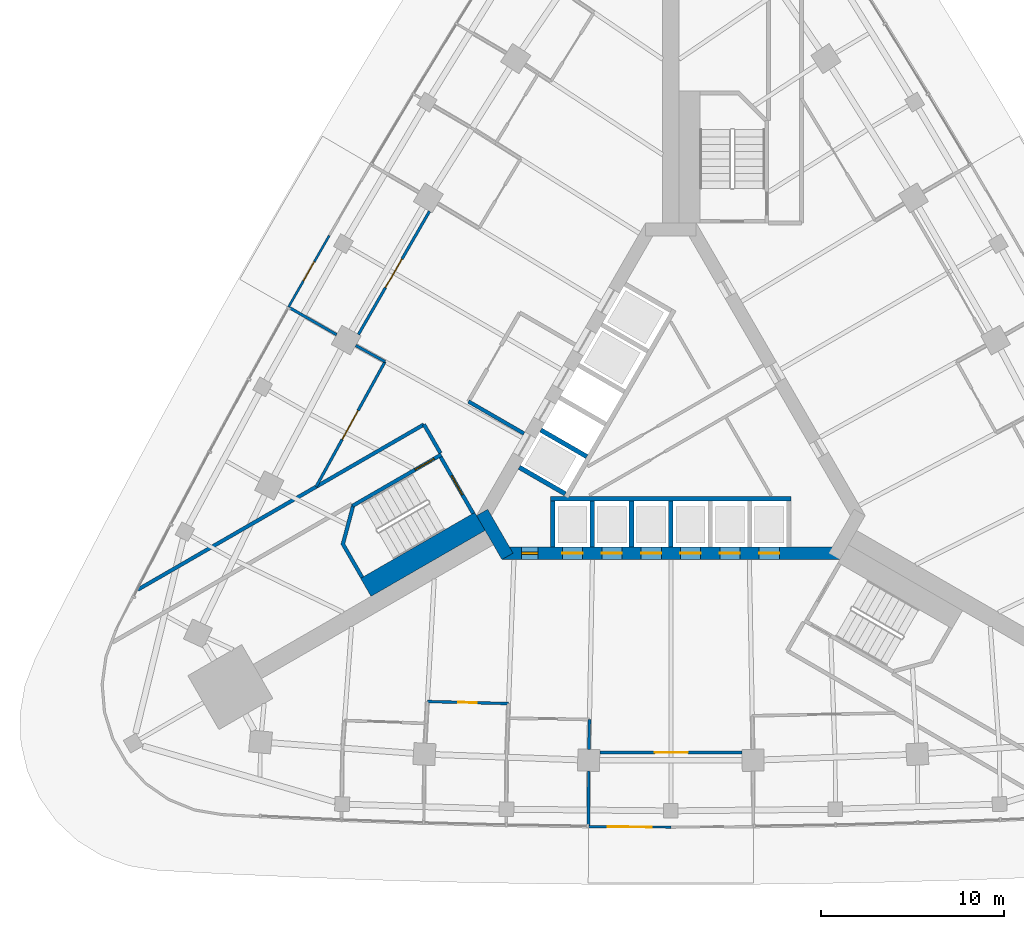
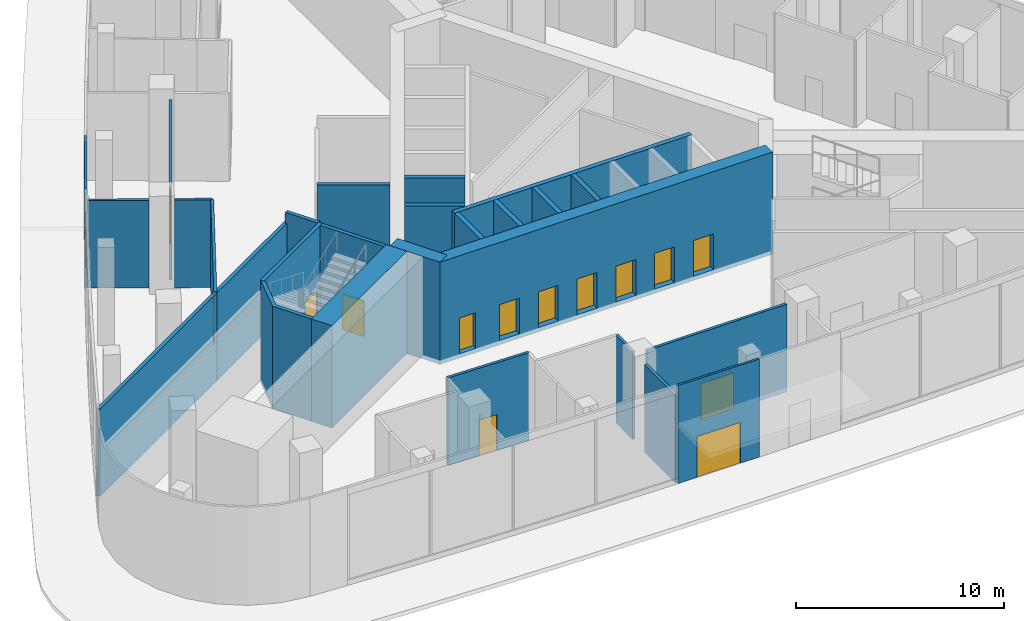
# One storey, part 7 of 14: 27 walls, 15 doors, 15 openings.
"""IFC4 building model written with IfcOpenShell, lengths in metres."""

from ifc_helpers import new_model, si_unit, direction, frame, frame_2d, origin, place, context, subcontext, project, spatial, polyline, rectangle, outline, extrude, material, layer, layer_set, type_object, element, fill, save


model = new_model("IFC4")

# Units and contexts
model_context = context("Model", 3, precision=1e-05, world=origin(), true_north=direction((0.0, 1.0)))
body_context = subcontext(model_context, "Body", "Model", "MODEL_VIEW")
ifc_project = project(units=[si_unit("LENGTHUNIT", "METRE"), si_unit("AREAUNIT", "SQUARE_METRE"), si_unit("VOLUMEUNIT", "CUBIC_METRE"), si_unit("PLANEANGLEUNIT", "RADIAN"), si_unit("MASSUNIT", "GRAM", prefix="KILO")], contexts=[model_context])

# Site, building, storey
site_placement = place(None, origin())
site = spatial("IfcSite", under=ifc_project, at=site_placement, CompositionType="ELEMENT")
building_placement = place(site_placement, origin())
building = spatial("IfcBuilding", under=site, at=building_placement, Name="Noor Cloister Tower", CompositionType="ELEMENT")
storey_placement = place(building_placement, origin())
storey = spatial("IfcBuildingStorey", under=building, at=storey_placement, Name="L00", CompositionType="ELEMENT", Elevation=0.0)

# Wall, openings, doors
ifc_material_1 = material(Name="Concrete C80/95", Category="concrete")
ifc_layer_1 = layer(ifc_material_1, 0.699951171875)
ifc_layer_set_1 = layer_set([ifc_layer_1], Name="Core wall 700 C80/95")
wall_type_1 = type_object("IfcWallType", Name="Core wall 700 C80/95", PredefinedType="SHEAR", material=ifc_layer_set_1)
wall_1_placement = place(storey_placement, frame((-9.228759765625, -6.578125, -0.25), z_axis=(0.0, 0.0, 1.0), x_axis=(1.0, 0.0, 0.0)))
wall_1 = element("IfcWall", 1, at=wall_1_placement, inside=storey, type_object=wall_type_1, Name="Core wall L00 1", PredefinedType="SHEAR", context=body_context, shape_type="SweptSolid", body=[
    extrude(rectangle(XDim=18.45751953125, YDim=0.699951171875, at=frame_2d((9.228759765625, 0.0))), origin(), (0.0, 0.0, 1.0), 6.0),
])
opening_1_placement = place(wall_1_placement, frame((3.3037109375, 0.0, 0.25)))
opening_1 = element("IfcOpeningElement", 2, at=opening_1_placement, cuts=wall_1, Name="Opening L00-LR1", PredefinedType="OPENING", context=body_context, shape_type="SweptSolid", body=[
    extrude(rectangle(XDim=1.10009765625, YDim=2.10009765625, at=frame_2d((0.550048828125, 1.050048828125))), frame((0.0, 0.35986328125, 0.0), z_axis=(0.0, -1.0, 0.0), x_axis=(1.0, 0.0, 0.0)), (0.0, 0.0, 1.0), 0.719970703125),
])
opening_2_placement = place(wall_1_placement, frame((5.45361328125, 0.0, 0.25)))
opening_2 = element("IfcOpeningElement", 3, at=opening_2_placement, cuts=wall_1, Name="Opening L00-LR2", PredefinedType="OPENING", context=body_context, shape_type="SweptSolid", body=[
    extrude(rectangle(XDim=1.10009765625, YDim=2.10009765625, at=frame_2d((0.550048828125, 1.050048828125))), frame((0.0, 0.35986328125, 0.0), z_axis=(0.0, -1.0, 0.0), x_axis=(1.0, 0.0, 0.0)), (0.0, 0.0, 1.0), 0.719970703125),
])
opening_3_placement = place(wall_1_placement, frame((7.603759765625, 0.0, 0.25)))
opening_3 = element("IfcOpeningElement", 4, at=opening_3_placement, cuts=wall_1, Name="Opening L00-LR3", PredefinedType="OPENING", context=body_context, shape_type="SweptSolid", body=[
    extrude(rectangle(XDim=1.10009765625, YDim=2.10009765625, at=frame_2d((0.550048828125, 1.050048828125))), frame((0.0, 0.35986328125, 0.0), z_axis=(0.0, -1.0, 0.0), x_axis=(1.0, 0.0, 0.0)), (0.0, 0.0, 1.0), 0.719970703125),
])
opening_4_placement = place(wall_1_placement, frame((9.753662109375, 0.0, 0.25)))
opening_4 = element("IfcOpeningElement", 5, at=opening_4_placement, cuts=wall_1, Name="Opening L00-LR4", PredefinedType="OPENING", context=body_context, shape_type="SweptSolid", body=[
    extrude(rectangle(XDim=1.10009765625, YDim=2.10009765625, at=frame_2d((0.550048828125, 1.050048828125))), frame((0.0, 0.35986328125, 0.0), z_axis=(0.0, -1.0, 0.0), x_axis=(1.0, 0.0, 0.0)), (0.0, 0.0, 1.0), 0.719970703125),
])
opening_5_placement = place(wall_1_placement, frame((11.90380859375, 0.0, 0.25)))
opening_5 = element("IfcOpeningElement", 6, at=opening_5_placement, cuts=wall_1, Name="Opening L00-LR5", PredefinedType="OPENING", context=body_context, shape_type="SweptSolid", body=[
    extrude(rectangle(XDim=1.10009765625, YDim=2.10009765625, at=frame_2d((0.550048828125, 1.050048828125))), frame((0.0, 0.35986328125, 0.0), z_axis=(0.0, -1.0, 0.0), x_axis=(1.0, 0.0, 0.0)), (0.0, 0.0, 1.0), 0.719970703125),
])
opening_6_placement = place(wall_1_placement, frame((14.0537109375, 0.0, 0.25)))
opening_6 = element("IfcOpeningElement", 7, at=opening_6_placement, cuts=wall_1, Name="Opening L00-LR6", PredefinedType="OPENING", context=body_context, shape_type="SweptSolid", body=[
    extrude(rectangle(XDim=1.10009765625, YDim=2.10009765625, at=frame_2d((0.550048828125, 1.050048828125))), frame((0.0, 0.35986328125, 0.0), z_axis=(0.0, -1.0, 0.0), x_axis=(1.0, 0.0, 0.0)), (0.0, 0.0, 1.0), 0.719970703125),
])
opening_7_placement = place(wall_1_placement, frame((1.078857421875, 0.0, 0.25)))
opening_7 = element("IfcOpeningElement", 8, at=opening_7_placement, cuts=wall_1, Name="Opening L00-905", PredefinedType="OPENING", context=body_context, shape_type="SweptSolid", body=[
    extrude(rectangle(XDim=0.89990234375, YDim=2.10009765625, at=frame_2d((0.449951171875, 1.050048828125))), frame((0.0, 0.35986328125, 0.0), z_axis=(0.0, -1.0, 0.0), x_axis=(1.0, 0.0, 0.0)), (0.0, 0.0, 1.0), 0.719970703125),
])
ifc_material_2 = material(Name="Steel", Category="steel")
door_type_1 = type_object("IfcDoorType", Name="Core door 900 x 2100 FD120", OperationType="SINGLE_SWING_LEFT", PredefinedType="DOOR", material=ifc_material_2)
door_1_placement = place(opening_7_placement, origin())
door_1 = element("IfcDoor", 9, at=door_1_placement, inside=storey, type_object=door_type_1, Name="Core door 5 L00", OperationType="SINGLE_SWING_LEFT", OverallHeight=2.10009765625, OverallWidth=0.89990234375, PredefinedType="DOOR", context=body_context, shape_type="SweptSolid", body=[
    extrude(rectangle(XDim=0.89990234375, YDim=2.10009765625, at=frame_2d((0.449951171875, 1.050048828125))), frame((0.0, 0.074951171875, 0.0), z_axis=(0.0, -1.0, 0.0), x_axis=(1.0, 0.0, 0.0)), (0.0, 0.0, 1.0), 0.14990234375),
])
fill(opening_7, door_1)
ifc_material_3 = material(Name="Stainless steel", Category="steel")
door_type_2 = type_object("IfcDoorType", Name="Lift landing door 1100 x 2100", OperationType="DOUBLE_DOOR_SLIDING", PredefinedType="DOOR", material=ifc_material_3)
door_2_placement = place(opening_1_placement, origin())
door_2 = element("IfcDoor", 10, at=door_2_placement, inside=storey, type_object=door_type_2, Name="Landing door LR1 L00", OperationType="DOUBLE_DOOR_SLIDING", OverallHeight=2.10009765625, OverallWidth=1.10009765625, PredefinedType="DOOR", context=body_context, shape_type="SweptSolid", body=[
    extrude(rectangle(XDim=1.10009765625, YDim=2.10009765625, at=frame_2d((0.550048828125, 1.050048828125))), frame((0.0, 0.02490234375, 0.0), z_axis=(0.0, -1.0, 0.0), x_axis=(1.0, 0.0, 0.0)), (0.0, 0.0, 1.0), 0.050048828125),
])
fill(opening_1, door_2)
door_3_placement = place(opening_2_placement, origin())
door_3 = element("IfcDoor", 11, at=door_3_placement, inside=storey, type_object=door_type_2, Name="Landing door LR2 L00", OperationType="DOUBLE_DOOR_SLIDING", OverallHeight=2.10009765625, OverallWidth=1.10009765625, PredefinedType="DOOR", context=body_context, shape_type="SweptSolid", body=[
    extrude(rectangle(XDim=1.10009765625, YDim=2.10009765625, at=frame_2d((0.550048828125, 1.050048828125))), frame((0.0, 0.02490234375, 0.0), z_axis=(0.0, -1.0, 0.0), x_axis=(1.0, 0.0, 0.0)), (0.0, 0.0, 1.0), 0.050048828125),
])
fill(opening_2, door_3)
door_4_placement = place(opening_3_placement, origin())
door_4 = element("IfcDoor", 12, at=door_4_placement, inside=storey, type_object=door_type_2, Name="Landing door LR3 L00", OperationType="DOUBLE_DOOR_SLIDING", OverallHeight=2.10009765625, OverallWidth=1.10009765625, PredefinedType="DOOR", context=body_context, shape_type="SweptSolid", body=[
    extrude(rectangle(XDim=1.10009765625, YDim=2.10009765625, at=frame_2d((0.550048828125, 1.050048828125))), frame((0.0, 0.02490234375, 0.0), z_axis=(0.0, -1.0, 0.0), x_axis=(1.0, 0.0, 0.0)), (0.0, 0.0, 1.0), 0.050048828125),
])
fill(opening_3, door_4)
door_5_placement = place(opening_4_placement, origin())
door_5 = element("IfcDoor", 13, at=door_5_placement, inside=storey, type_object=door_type_2, Name="Landing door LR4 L00", OperationType="DOUBLE_DOOR_SLIDING", OverallHeight=2.10009765625, OverallWidth=1.10009765625, PredefinedType="DOOR", context=body_context, shape_type="SweptSolid", body=[
    extrude(rectangle(XDim=1.10009765625, YDim=2.10009765625, at=frame_2d((0.550048828125, 1.050048828125))), frame((0.0, 0.02490234375, 0.0), z_axis=(0.0, -1.0, 0.0), x_axis=(1.0, 0.0, 0.0)), (0.0, 0.0, 1.0), 0.050048828125),
])
fill(opening_4, door_5)
door_6_placement = place(opening_5_placement, origin())
door_6 = element("IfcDoor", 14, at=door_6_placement, inside=storey, type_object=door_type_2, Name="Landing door LR5 L00", OperationType="DOUBLE_DOOR_SLIDING", OverallHeight=2.10009765625, OverallWidth=1.10009765625, PredefinedType="DOOR", context=body_context, shape_type="SweptSolid", body=[
    extrude(rectangle(XDim=1.10009765625, YDim=2.10009765625, at=frame_2d((0.550048828125, 1.050048828125))), frame((0.0, 0.02490234375, 0.0), z_axis=(0.0, -1.0, 0.0), x_axis=(1.0, 0.0, 0.0)), (0.0, 0.0, 1.0), 0.050048828125),
])
fill(opening_5, door_6)
door_7_placement = place(opening_6_placement, origin())
door_7 = element("IfcDoor", 15, at=door_7_placement, inside=storey, type_object=door_type_2, Name="Landing door LR6 L00", OperationType="DOUBLE_DOOR_SLIDING", OverallHeight=2.10009765625, OverallWidth=1.10009765625, PredefinedType="DOOR", context=body_context, shape_type="SweptSolid", body=[
    extrude(rectangle(XDim=1.10009765625, YDim=2.10009765625, at=frame_2d((0.550048828125, 1.050048828125))), frame((0.0, 0.02490234375, 0.0), z_axis=(0.0, -1.0, 0.0), x_axis=(1.0, 0.0, 0.0)), (0.0, 0.0, 1.0), 0.050048828125),
])
fill(opening_6, door_7)

# Walls
wall_2_placement = place(storey_placement, frame((-10.311279296875, -4.353271484375, -0.25), z_axis=(0.0, 0.0, 1.0), x_axis=(0.500042739161, -0.866000726912, 0.0)))
element("IfcWall", 16, at=wall_2_placement, inside=storey, type_object=wall_type_1, Name="Core wall L00 6", PredefinedType="SHEAR", context=body_context, shape_type="SweptSolid", body=[
    extrude(rectangle(XDim=2.771240234375, YDim=0.699951171875, at=frame_2d((1.3857421875, 0.0))), origin(), (0.0, 0.0, 1.0), 6.0),
])
ifc_material_4 = material(Name="Plasterboard on steel studs", Category="steel")
ifc_layer_2 = layer(ifc_material_4, 0.14990234375)
ifc_layer_set_2 = layer_set([ifc_layer_2], Name="Corridor wall 150")
wall_type_2 = type_object("IfcWallType", Name="Corridor wall 150", PredefinedType="PARTITIONING", material=ifc_layer_set_2)
wall_3_placement = place(storey_placement, frame((-4.490966796875, -18.491943359375, 0.0), z_axis=(0.0, 0.0, 1.0), x_axis=(-0.003039249968, -0.999995381469, 0.0)))
element("IfcWall", 17, at=wall_3_placement, inside=storey, type_object=wall_type_2, Name="Partition", PredefinedType="PARTITIONING", context=body_context, shape_type="SweptSolid", body=[
    extrude(rectangle(XDim=2.97216796875, YDim=0.14990234375, at=frame_2d((1.486083984375, 0.0))), origin(), (0.0, 0.0, 1.0), 5.133056640625),
])

# Wall, opening, door
wall_4_placement = place(storey_placement, frame((3.882080078125, -17.467041015625, 0.0), z_axis=(0.0, 0.0, 1.0), x_axis=(-1.0, 0.0, 0.0)))
wall_4 = element("IfcWall", 18, at=wall_4_placement, inside=storey, type_object=wall_type_2, Name="Partition", PredefinedType="PARTITIONING", context=body_context, shape_type="SweptSolid", body=[
    extrude(rectangle(XDim=7.76416015625, YDim=0.14990234375, at=frame_2d((3.882080078125, 0.0))), origin(), (0.0, 0.0, 1.0), 5.137939453125),
])
opening_8_placement = place(wall_4_placement, frame((2.949951171875, 0.0, 0.0)))
opening_8 = element("IfcOpeningElement", 19, at=opening_8_placement, cuts=wall_4, Name="Opening L00-013", PredefinedType="OPENING", context=body_context, shape_type="SweptSolid", body=[
    extrude(rectangle(XDim=1.800048828125, YDim=2.10009765625, at=frame_2d((0.89990234375, 1.050048828125))), frame((0.0, 0.0849609375, 0.0), z_axis=(0.0, -1.0, 0.0), x_axis=(1.0, 0.0, 0.0)), (0.0, 0.0, 1.0), 0.169921875),
])
ifc_material_5 = material(Name="Timber door leaf", Category="wood")
door_type_3 = type_object("IfcDoorType", Name="Double leaf door 1800", OperationType="DOUBLE_DOOR_SINGLE_SWING", PredefinedType="DOOR", material=ifc_material_5)
door_8_placement = place(opening_8_placement, origin())
door_8 = element("IfcDoor", 20, at=door_8_placement, inside=storey, type_object=door_type_3, Name="Door L00-013", OperationType="DOUBLE_DOOR_SINGLE_SWING", OverallHeight=2.10009765625, OverallWidth=1.800048828125, PredefinedType="DOOR", context=body_context, shape_type="SweptSolid", body=[
    extrude(rectangle(XDim=1.800048828125, YDim=2.10009765625, at=frame_2d((0.89990234375, 1.050048828125))), frame((0.0, 0.02490234375, 0.0), z_axis=(0.0, -1.0, 0.0), x_axis=(1.0, 0.0, 0.0)), (0.0, 0.0, 1.0), 0.050048828125),
])
fill(opening_8, door_8)

# Wall
wall_5_placement = place(storey_placement, frame((-4.47802734375, -17.2919921875, 0.0), z_axis=(0.0, 0.0, 1.0), x_axis=(0.018443173209, 0.999829910216, 0.0)))
element("IfcWall", 21, at=wall_5_placement, inside=storey, type_object=wall_type_2, Name="Partition", PredefinedType="PARTITIONING", context=body_context, shape_type="SweptSolid", body=[
    extrude(rectangle(XDim=1.628173828125, YDim=0.14990234375, at=frame_2d((0.81396484375, 0.0))), origin(), (0.0, 0.0, 1.0), 5.137939453125),
])

# Wall, opening, door
wall_6_placement = place(storey_placement, frame((-8.866943359375, -14.7958984375, 0.0), z_axis=(0.0, 0.0, 1.0), x_axis=(-0.999668087826, 0.025762650903, 0.0)))
wall_6 = element("IfcWall", 22, at=wall_6_placement, inside=storey, type_object=wall_type_2, Name="Partition", PredefinedType="PARTITIONING", context=body_context, shape_type="SweptSolid", body=[
    extrude(rectangle(XDim=4.425537109375, YDim=0.14990234375, at=frame_2d((2.212890625, 0.0))), origin(), (0.0, 0.0, 1.0), 5.137939453125),
])
opening_9_placement = place(wall_6_placement, frame((1.75, 0.0, 0.0)))
opening_9 = element("IfcOpeningElement", 23, at=opening_9_placement, cuts=wall_6, Name="Opening L00-004", PredefinedType="OPENING", context=body_context, shape_type="SweptSolid", body=[
    extrude(rectangle(XDim=1.0, YDim=2.10009765625, at=frame_2d((0.5, 1.050048828125))), frame((0.0, 0.0849609375, 0.0), z_axis=(0.0, -1.0, 0.0), x_axis=(1.0, 0.0, 0.0)), (0.0, 0.0, 1.0), 0.169921875),
])
ifc_material_6 = material(Name="Timber door leaf", Category="wood")
door_type_4 = type_object("IfcDoorType", Name="Clinic room door 1000", OperationType="SINGLE_SWING_LEFT", PredefinedType="DOOR", material=ifc_material_6)
door_9_placement = place(opening_9_placement, origin())
door_9 = element("IfcDoor", 24, at=door_9_placement, inside=storey, type_object=door_type_4, Name="Door L00-004", OperationType="SINGLE_SWING_RIGHT", OverallHeight=2.10009765625, OverallWidth=1.0, PredefinedType="DOOR", context=body_context, shape_type="SweptSolid", body=[
    extrude(rectangle(XDim=1.0, YDim=2.10009765625, at=frame_2d((0.5, 1.050048828125))), frame((0.0, 0.02490234375, 0.0), z_axis=(0.0, -1.0, 0.0), x_axis=(1.0, 0.0, 0.0)), (0.0, 0.0, 1.0), 0.050048828125),
])
fill(opening_9, door_9)

# Wall
wall_7_placement = place(storey_placement, frame((-18.260009765625, 5.35595703125, 0.0), z_axis=(0.0, 0.0, 1.0), x_axis=(-0.867382463281, 0.497642102714, 0.0)))
element("IfcWall", 25, at=wall_7_placement, inside=storey, type_object=wall_type_2, Name="Partition", PredefinedType="PARTITIONING", context=body_context, shape_type="SweptSolid", body=[
    extrude(rectangle(XDim=2.971923828125, YDim=0.14990234375, at=frame_2d((1.48583984375, 0.0))), origin(), (0.0, 0.0, 1.0), 5.133056640625),
])

# Wall, opening, door
wall_8_placement = place(storey_placement, frame((-19.3798828125, -2.947021484375, 0.0), z_axis=(0.0, 0.0, 1.0), x_axis=(0.482740495621, 0.875763446307, 0.0)))
wall_8 = element("IfcWall", 26, at=wall_8_placement, inside=storey, type_object=wall_type_2, Name="Partition", PredefinedType="PARTITIONING", context=body_context, shape_type="SweptSolid", body=[
    extrude(rectangle(XDim=7.799072265625, YDim=0.14990234375, at=frame_2d((3.8994140625, 0.0))), origin(), (0.0, 0.0, 1.0), 5.137939453125),
])
opening_10_placement = place(wall_8_placement, frame((2.949951171875, 0.0, 0.0)))
opening_10 = element("IfcOpeningElement", 27, at=opening_10_placement, cuts=wall_8, Name="Opening L00-006", PredefinedType="OPENING", context=body_context, shape_type="SweptSolid", body=[
    extrude(rectangle(XDim=1.800048828125, YDim=2.10009765625, at=frame_2d((0.89990234375, 1.050048828125))), frame((0.0, 0.0849609375, 0.0), z_axis=(0.0, -1.0, 0.0), x_axis=(1.0, 0.0, 0.0)), (0.0, 0.0, 1.0), 0.169921875),
])
door_10_placement = place(opening_10_placement, origin())
door_10 = element("IfcDoor", 28, at=door_10_placement, inside=storey, type_object=door_type_3, Name="Door L00-006", OperationType="DOUBLE_DOOR_SINGLE_SWING", OverallHeight=2.10009765625, OverallWidth=1.800048828125, PredefinedType="DOOR", context=body_context, shape_type="SweptSolid", body=[
    extrude(rectangle(XDim=1.800048828125, YDim=2.10009765625, at=frame_2d((0.89990234375, 1.050048828125))), frame((0.0, 0.02490234375, 0.0), z_axis=(0.0, -1.0, 0.0), x_axis=(1.0, 0.0, 0.0)), (0.0, 0.0, 1.0), 0.050048828125),
])
fill(opening_10, door_10)

# Wall
wall_9_placement = place(storey_placement, frame((-15.614990234375, 3.883056640625, 0.0), z_axis=(0.0, 0.0, 1.0), x_axis=(-0.875170076202, 0.483815396325, 0.0)))
element("IfcWall", 29, at=wall_9_placement, inside=storey, type_object=wall_type_2, Name="Partition", PredefinedType="PARTITIONING", context=body_context, shape_type="SweptSolid", body=[
    extrude(rectangle(XDim=1.8271484375, YDim=0.14990234375, at=frame_2d((0.91357421875, 0.0))), origin(), (0.0, 0.0, 1.0), 5.137939453125),
])

# Wall, opening, door
wall_10_placement = place(storey_placement, frame((-17.068115234375, 5.3720703125, 0.0), z_axis=(0.0, 0.0, 1.0), x_axis=(0.499910285078, 0.866077194523, 0.0)))
wall_10 = element("IfcWall", 30, at=wall_10_placement, inside=storey, type_object=wall_type_2, Name="Partition", PredefinedType="PARTITIONING", context=body_context, shape_type="SweptSolid", body=[
    extrude(rectangle(XDim=7.763671875, YDim=0.14990234375, at=frame_2d((3.8818359375, 0.0))), origin(), (0.0, 0.0, 1.0), 5.137939453125),
])
opening_11_placement = place(wall_10_placement, frame((2.949951171875, 0.0, 0.0)))
opening_11 = element("IfcOpeningElement", 31, at=opening_11_placement, cuts=wall_10, Name="Opening L00-015", PredefinedType="OPENING", context=body_context, shape_type="SweptSolid", body=[
    extrude(rectangle(XDim=1.800048828125, YDim=2.10009765625, at=frame_2d((0.89990234375, 1.050048828125))), frame((0.0, 0.0849609375, 0.0), z_axis=(0.0, -1.0, 0.0), x_axis=(1.0, 0.0, 0.0)), (0.0, 0.0, 1.0), 0.169921875),
])
door_11_placement = place(opening_11_placement, origin())
door_11 = element("IfcDoor", 32, at=door_11_placement, inside=storey, type_object=door_type_3, Name="Door L00-015", OperationType="DOUBLE_DOOR_SINGLE_SWING", OverallHeight=2.10009765625, OverallWidth=1.800048828125, PredefinedType="DOOR", context=body_context, shape_type="SweptSolid", body=[
    extrude(rectangle(XDim=1.800048828125, YDim=2.10009765625, at=frame_2d((0.89990234375, 1.050048828125))), frame((0.0, 0.02490234375, 0.0), z_axis=(0.0, -1.0, 0.0), x_axis=(1.0, 0.0, 0.0)), (0.0, 0.0, 1.0), 0.050048828125),
])
fill(opening_11, door_11)

# Walls
ifc_material_7 = material(Name="Reinforced blockwork", Category="masonry")
ifc_layer_3 = layer(ifc_material_7, 0.199951171875)
ifc_layer_set_3 = layer_set([ifc_layer_3], Name="Fire rated block wall 200")
wall_type_3 = type_object("IfcWallType", Name="Fire rated block wall 200", PredefinedType="PARTITIONING", material=ifc_layer_set_3)
wall_11_placement = place(storey_placement, frame((-11.055908203125, 1.70703125, 0.0), z_axis=(0.0, 0.0, 1.0), x_axis=(0.866019471182, -0.500010275428, 0.0)))
element("IfcWall", 33, at=wall_11_placement, inside=storey, type_object=wall_type_3, Name="Fire rated wall", PredefinedType="PARTITIONING", context=body_context, shape_type="SweptSolid", body=[
    extrude(rectangle(XDim=3.5, YDim=0.199951171875, at=frame_2d((1.75, 0.0))), origin(), (0.0, 0.0, 1.0), 5.75),
])
ifc_material_8 = material(Name="Reinforced blockwork", Category="masonry")
ifc_layer_4 = layer(ifc_material_8, 0.199951171875)
ifc_layer_set_4 = layer_set([ifc_layer_4], Name="Fire rated block wall 200 EI 120")
wall_type_4 = type_object("IfcWallType", Name="Fire rated block wall 200 EI 120", PredefinedType="PARTITIONING", material=ifc_layer_set_4)
wall_12_placement = place(storey_placement, frame((-19.382080078125, -2.950927734375, 0.0), z_axis=(0.0, 0.0, 1.0), x_axis=(-0.866021398134, -0.500006937926, 0.0)))
element("IfcWall", 34, at=wall_12_placement, inside=storey, type_object=wall_type_4, Name="Fire rated wall", PredefinedType="PARTITIONING", context=body_context, shape_type="SweptSolid", body=[
    extrude(rectangle(XDim=11.241943359375, YDim=0.199951171875, at=frame_2d((5.62109375, 0.0))), origin(), (0.0, 0.0, 1.0), 5.133056640625),
])
wall_13_placement = place(storey_placement, frame((-12.590087890625, -1.10791015625, 0.0), z_axis=(0.0, 0.0, 1.0), x_axis=(-0.499554093032, 0.866282695276, 0.0)))
element("IfcWall", 35, at=wall_13_placement, inside=storey, type_object=wall_type_4, Name="Fire rated wall", PredefinedType="PARTITIONING", context=body_context, shape_type="SweptSolid", body=[
    extrude(rectangle(XDim=1.799560546875, YDim=0.199951171875, at=frame_2d((0.89990234375, 0.0))), origin(), (0.0, 0.0, 1.0), 5.75),
])
wall_14_placement = place(storey_placement, frame((-13.489990234375, 0.450927734375, 0.0), z_axis=(0.0, 0.0, 1.0), x_axis=(-0.865993627515, -0.500055034075, 0.0)))
element("IfcWall", 36, at=wall_14_placement, inside=storey, type_object=wall_type_4, Name="Fire rated wall", PredefinedType="PARTITIONING", context=body_context, shape_type="SweptSolid", body=[
    extrude(rectangle(XDim=6.799072265625, YDim=0.199951171875, at=frame_2d((3.3994140625, 0.0))), origin(), (0.0, 0.0, 1.0), 5.137939453125),
])

# Wall, opening, door
ifc_material_9 = material(Name="Limestone", Category="masonry")
ifc_layer_5 = layer(ifc_material_9, 0.1201171875)
ifc_layer_set_5 = layer_set([ifc_layer_5], Name="Limestone portal wall 120")
wall_type_5 = type_object("IfcWallType", Name="Limestone portal wall 120", PredefinedType="NOTDEFINED", material=ifc_layer_set_5)
wall_15_placement = place(storey_placement, frame((-20.88916015625, 6.866943359375, 0.0), z_axis=(0.0, 0.0, 1.0), x_axis=(0.495501388328, 0.868607146048, 0.0)))
wall_15 = element("IfcWall", 37, at=wall_15_placement, inside=storey, type_object=wall_type_5, Name="Entrance bay L00 NW 2", PredefinedType="NOTDEFINED", context=body_context, shape_type="SweptSolid", body=[
    extrude(rectangle(XDim=4.49609375, YDim=0.1201171875, at=frame_2d((2.248046875, 0.0))), origin(), (0.0, 0.0, 1.0), 5.75),
])
opening_12_placement = place(wall_15_placement, frame((1.64794921875, 0.0, 0.0)))
opening_12 = element("IfcOpeningElement", 38, at=opening_12_placement, cuts=wall_15, Name="Opening L00-X04", PredefinedType="OPENING", context=body_context, shape_type="SweptSolid", body=[
    extrude(rectangle(XDim=1.199951171875, YDim=2.39990234375, at=frame_2d((0.60009765625, 1.199951171875))), frame((0.0, 0.070068359375, 0.0), z_axis=(0.0, -1.0, 0.0), x_axis=(1.0, 0.0, 0.0)), (0.0, 0.0, 1.0), 0.14013671875),
])
ifc_material_10 = material(Name="Glass and aluminium", Category="aluminium")
door_type_5 = type_object("IfcDoorType", Name="Entrance swing door 1200 x 2400", OperationType="SINGLE_SWING_LEFT", PredefinedType="DOOR", material=ifc_material_10)
door_12_placement = place(opening_12_placement, origin())
door_12 = element("IfcDoor", 39, at=door_12_placement, inside=storey, type_object=door_type_5, Name="Main lobby entrance door NW 2", OperationType="SINGLE_SWING_LEFT", OverallHeight=2.39990234375, OverallWidth=1.199951171875, PredefinedType="DOOR", context=body_context, shape_type="SweptSolid", body=[
    extrude(rectangle(XDim=1.199951171875, YDim=2.39990234375, at=frame_2d((0.60009765625, 1.199951171875))), frame((0.0, 0.02490234375, 0.0), z_axis=(0.0, -1.0, 0.0), x_axis=(1.0, 0.0, 0.0)), (0.0, 0.0, 1.0), 0.050048828125),
])
fill(opening_12, door_12)

wall_16_placement = place(storey_placement, frame((-0.001708984375, -21.54736328125, 0.0), z_axis=(0.0, 0.0, 1.0), x_axis=(-0.999986693461, 0.005158769258, 0.0)))
wall_16 = element("IfcWall", 40, at=wall_16_placement, inside=storey, type_object=wall_type_5, Name="Entrance bay L00 S 1", PredefinedType="NOTDEFINED", context=body_context, shape_type="SweptSolid", body=[
    extrude(rectangle(XDim=4.495849609375, YDim=0.1201171875, at=frame_2d((2.248046875, 0.0))), origin(), (0.0, 0.0, 1.0), 5.75),
])
opening_13_placement = place(wall_16_placement, frame((1.048095703125, 0.0, 0.0)))
opening_13 = element("IfcOpeningElement", 41, at=opening_13_placement, cuts=wall_16, Name="Opening L00-X07", PredefinedType="OPENING", context=body_context, shape_type="SweptSolid", body=[
    extrude(rectangle(XDim=2.39990234375, YDim=2.39990234375, at=frame_2d((1.199951171875, 1.199951171875))), frame((0.0, 0.070068359375, 0.0), z_axis=(0.0, -1.0, 0.0), x_axis=(1.0, 0.0, 0.0)), (0.0, 0.0, 1.0), 0.14013671875),
])
ifc_material_11 = material(Name="Glass and aluminium", Category="aluminium")
door_type_6 = type_object("IfcDoorType", Name="Revolving entrance door 2400 x 2400", OperationType="REVOLVING", PredefinedType="DOOR", material=ifc_material_11)
door_13_placement = place(opening_13_placement, origin())
door_13 = element("IfcDoor", 42, at=door_13_placement, inside=storey, type_object=door_type_6, Name="Station entrance door S 1", OperationType="REVOLVING", OverallHeight=2.39990234375, OverallWidth=2.39990234375, PredefinedType="DOOR", context=body_context, shape_type="SweptSolid", body=[
    extrude(rectangle(XDim=2.39990234375, YDim=2.39990234375, at=frame_2d((1.199951171875, 1.199951171875))), frame((0.0, 0.02490234375, 0.0), z_axis=(0.0, -1.0, 0.0), x_axis=(1.0, 0.0, 0.0)), (0.0, 0.0, 1.0), 0.050048828125),
])
fill(opening_13, door_13)

# Walls
ifc_material_12 = material(Name="Concrete C80/95", Category="concrete")
ifc_layer_6 = layer(ifc_material_12, 0.25)
ifc_layer_set_6 = layer_set([ifc_layer_6], Name="Shaft wall 250 C80/95")
wall_type_6 = type_object("IfcWallType", Name="Shaft wall 250 C80/95", PredefinedType="PARTITIONING", material=ifc_layer_set_6)
for number, where, z_axis, x_axis, name in (
    (43, (-6.449951171875, -6.228271484375, -0.25), (0.0, 0.0, 1.0), (0.0, 1.0, 0.0), "Lift shaft wall L00 S 1"),
    (44, (-4.300048828125, -6.228271484375, -0.25), (0.0, 0.0, 1.0), (0.0, 1.0, 0.0), "Lift shaft wall L00 S 2"),
    (45, (-2.14990234375, -6.228271484375, -0.25), (0.0, 0.0, 1.0), (0.0, 1.0, 0.0), "Lift shaft wall L00 S 3"),
    (46, (0.0, -6.228271484375, -0.25), (0.0, 0.0, 1.0), (0.0, 1.0, 0.0), "Lift shaft wall L00 S 4"),
):
    element("IfcWall", number, at=place(storey_placement, frame(where, z_axis=z_axis, x_axis=x_axis)), inside=storey, type_object=wall_type_6, Name=name, PredefinedType="PARTITIONING", context=body_context, shape_type="SweptSolid", body=[
        extrude(rectangle(XDim=2.5, YDim=0.25, at=frame_2d((1.25, 0.0))), origin(), (0.0, 0.0, 1.0), 6.0),
    ])
wall_17_placement = place(storey_placement, frame((-6.574951171875, -3.603271484375, 0.0), z_axis=(0.0, 0.0, 1.0), x_axis=(1.0, 0.0, 0.0)))
element("IfcWall", 47, at=wall_17_placement, inside=storey, type_object=wall_type_6, Name="Lift shaft back wall L00 S", PredefinedType="PARTITIONING", context=body_context, shape_type="SweptSolid", body=[
    extrude(rectangle(XDim=13.14990234375, YDim=0.25, at=frame_2d((6.574951171875, 0.0))), origin(), (0.0, 0.0, 1.0), 5.75),
])
for number, where, z_axis, x_axis, name in (
    (48, (-7.106201171875, 0.14794921875, -0.25), (0.0, 0.0, 1.0), (0.866032775405, -0.499987231761, 0.0), "Lift shaft wall L00 NW 5"),
    (49, (-8.28125, -1.88720703125, -0.25), (0.0, 0.0, 1.0), (0.866032775405, -0.499987231761, 0.0), "Lift shaft wall L00 NW 6"),
):
    element("IfcWall", number, at=place(storey_placement, frame(where, z_axis=z_axis, x_axis=x_axis)), inside=storey, type_object=wall_type_6, Name=name, PredefinedType="PARTITIONING", context=body_context, shape_type="SweptSolid", body=[
        extrude(rectangle(XDim=2.89990234375, YDim=0.25, at=frame_2d((1.449951171875, 0.0))), origin(), (0.0, 0.0, 1.0), 6.0),
    ])
ifc_material_13 = material(Name="Concrete C80/95", Category="concrete")
ifc_layer_7 = layer(ifc_material_13, 1.135986328125)
ifc_layer_set_7 = layer_set([ifc_layer_7], Name="Stair enclosure wall 1136 C80/95")
wall_type_7 = type_object("IfcWallType", Name="Stair enclosure wall 1136 C80/95", PredefinedType="SHEAR", material=ifc_layer_set_7)
wall_18_placement = place(storey_placement, frame((-10.430419921875, -4.8466796875, -0.25), z_axis=(0.0, 0.0, 1.0), x_axis=(-0.866018442252, -0.500012057535, 0.0)))
element("IfcWall", 50, at=wall_18_placement, inside=storey, type_object=wall_type_7, Name="Stair enclosure wall ST2 L00 riser side", PredefinedType="SHEAR", context=body_context, shape_type="SweptSolid", body=[
    extrude(rectangle(XDim=7.199951171875, YDim=1.1357421875, at=frame_2d((3.60009765625, 0.0))), origin(), (0.0, 0.0, 1.0), 6.0),
])

# Wall, opening, door
ifc_material_14 = material(Name="Concrete C80/95", Category="concrete")
ifc_layer_8 = layer(ifc_material_14, 0.199951171875)
ifc_layer_set_8 = layer_set([ifc_layer_8], Name="Stair enclosure wall 200 C80/95")
wall_type_8 = type_object("IfcWallType", Name="Stair enclosure wall 200 C80/95", PredefinedType="SHEAR", material=ifc_layer_set_8)
wall_19_placement = place(storey_placement, frame((-12.575927734375, -1.33056640625, -0.25), z_axis=(0.0, 0.0, 1.0), x_axis=(0.499970499736, -0.8660424351, 0.0)))
wall_19 = element("IfcWall", 51, at=wall_19_placement, inside=storey, type_object=wall_type_8, Name="Stair enclosure wall ST2 L00 near end", PredefinedType="SHEAR", context=body_context, shape_type="SweptSolid", body=[
    extrude(rectangle(XDim=3.550048828125, YDim=0.199951171875, at=frame_2d((1.77490234375, 0.0))), origin(), (0.0, 0.0, 1.0), 6.0),
])
opening_14_placement = place(wall_19_placement, frame((1.175048828125, 0.0, 0.25)))
opening_14 = element("IfcOpeningElement", 52, at=opening_14_placement, cuts=wall_19, Name="Opening L00-ST2L", PredefinedType="OPENING", context=body_context, shape_type="SweptSolid", body=[
    extrude(rectangle(XDim=1.199951171875, YDim=2.10009765625, at=frame_2d((0.60009765625, 1.050048828125))), frame((0.0, 0.10986328125, 0.0), z_axis=(0.0, -1.0, 0.0), x_axis=(1.0, 0.0, 0.0)), (0.0, 0.0, 1.0), 0.219970703125),
])
ifc_material_15 = material(Name="Steel", Category="steel")
door_type_7 = type_object("IfcDoorType", Name="Stair door 1200 x 2100 FD120", OperationType="SINGLE_SWING_LEFT", PredefinedType="DOOR", material=ifc_material_15)
door_14_placement = place(opening_14_placement, origin())
door_14 = element("IfcDoor", 53, at=door_14_placement, inside=storey, type_object=door_type_7, Name="Stair door ST2 L00", OperationType="SINGLE_SWING_RIGHT", OverallHeight=2.10009765625, OverallWidth=1.199951171875, PredefinedType="DOOR", context=body_context, shape_type="SweptSolid", body=[
    extrude(rectangle(XDim=1.199951171875, YDim=2.10009765625, at=frame_2d((0.60009765625, 1.050048828125))), frame((0.0, 0.02490234375, 0.0), z_axis=(0.0, -1.0, 0.0), x_axis=(1.0, 0.0, 0.0)), (0.0, 0.0, 1.0), 0.050048828125),
])
fill(opening_14, door_14)

wall_20_placement = place(storey_placement, frame((-12.539306640625, -1.194091796875, -0.25), z_axis=(0.0, 0.0, 1.0), x_axis=(-0.866045472092, -0.499965239061, 0.0)))
wall_20 = element("IfcWall", 54, at=wall_20_placement, inside=storey, type_object=wall_type_8, Name="Stair enclosure wall ST2 L00 outer side", PredefinedType="SHEAR", context=body_context, shape_type="SweptSolid", body=[
    extrude(rectangle(XDim=5.60009765625, YDim=0.199951171875, at=frame_2d((2.800048828125, 0.0))), origin(), (0.0, 0.0, 1.0), 6.0),
])
opening_15_placement = place(wall_20_placement, frame((0.449951171875, 0.0, 0.25)))
opening_15 = element("IfcOpeningElement", 55, at=opening_15_placement, cuts=wall_20, Name="Opening L00-ST2C", PredefinedType="OPENING", context=body_context, shape_type="SweptSolid", body=[
    extrude(rectangle(XDim=1.199951171875, YDim=2.10009765625, at=frame_2d((0.60009765625, 1.050048828125))), frame((0.0, 0.10986328125, 0.0), z_axis=(0.0, -1.0, 0.0), x_axis=(1.0, 0.0, 0.0)), (0.0, 0.0, 1.0), 0.219970703125),
])
door_15_placement = place(opening_15_placement, origin())
door_15 = element("IfcDoor", 56, at=door_15_placement, inside=storey, type_object=door_type_7, Name="Stair discharge door ST2", OperationType="SINGLE_SWING_LEFT", OverallHeight=2.10009765625, OverallWidth=1.199951171875, PredefinedType="DOOR", context=body_context, shape_type="SweptSolid", body=[
    extrude(rectangle(XDim=1.199951171875, YDim=2.10009765625, at=frame_2d((0.60009765625, 1.050048828125))), frame((0.0, 0.02490234375, 0.0), z_axis=(0.0, -1.0, 0.0), x_axis=(1.0, 0.0, 0.0)), (0.0, 0.0, 1.0), 0.050048828125),
])
fill(opening_15, door_15)

# Wall
ifc_material_16 = material(Name="Concrete C80/95", Category="concrete")
wall_type_9 = type_object("IfcWallType", Name="Stair far end wall C80/95", PredefinedType="SHEAR", material=ifc_material_16)
wall_21_placement = place(storey_placement, frame((0.0, 0.0, -0.25)))
element("IfcWall", 57, at=wall_21_placement, inside=storey, type_object=wall_type_9, Name="Stair enclosure wall ST2 L00 far end", PredefinedType="SHEAR", context=body_context, shape_type="SweptSolid", body=[
    extrude(outline(polyline([(-17.439208984375, -3.907470703125), (-18.024658203125, -6.093017578125), (-16.94970703125, -7.955078125), (-16.776611328125, -7.85498046875), (-17.81005859375, -6.064697265625), (-17.267333984375, -4.039306640625), (-17.339111328125, -4.08056640625), (-17.339111328125, -4.08056640625), (-17.339111328125, -4.08056640625), (-17.339111328125, -4.08056640625), (-17.339111328125, -4.08056640625), (-17.339111328125, -4.08056640625), (-17.339111328125, -4.08056640625), (-17.339111328125, -4.08056640625), (-17.339111328125, -4.08056640625), (-17.339111328125, -4.08056640625), (-17.339111328125, -4.08056640625), (-17.339111328125, -4.08056640625), (-17.339111328125, -4.08056640625), (-17.339111328125, -4.08056640625), (-17.339111328125, -4.08056640625), (-17.339111328125, -4.08056640625), (-17.339111328125, -4.08056640625), (-17.439208984375, -3.907470703125)])), origin(), (0.0, 0.0, 1.0), 6.0),
])

save(model, "model.ifc")
